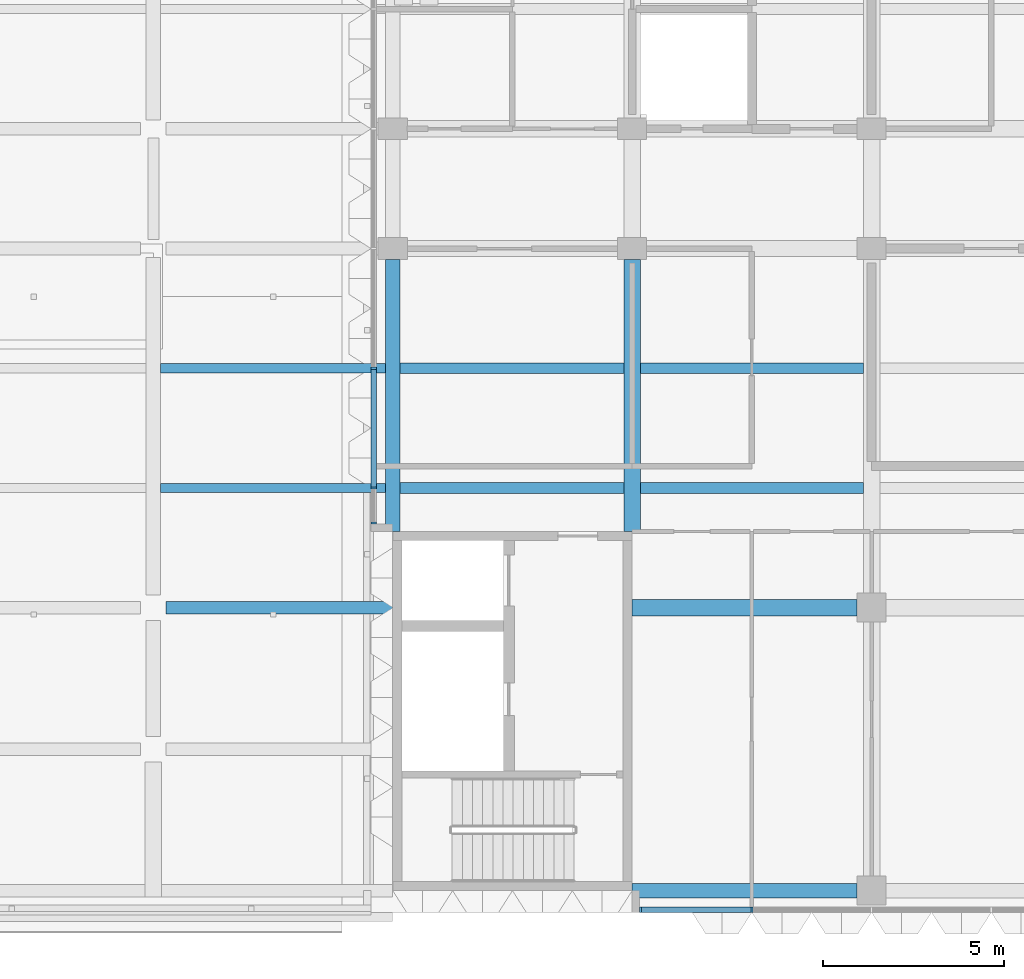
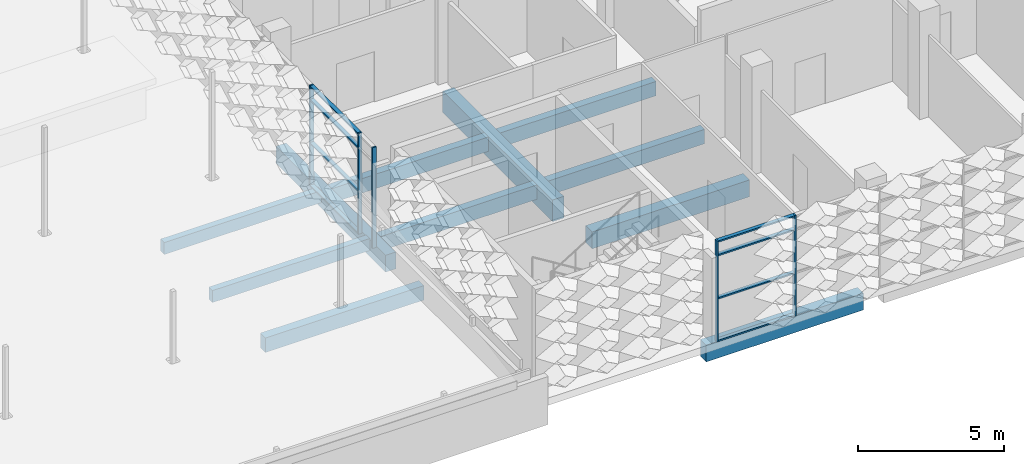
# One storey, part 2 of 39: 13 members, 11 beams, 2 elements without a shape of their own.
"""IFC4 building model written with IfcOpenShell, lengths in metres."""

from ifc_helpers import new_model, si_unit, direction, frame, origin, origin_2d, place, context, subcontext, project, spatial, rectangle, extrude, material, material_profile, profile_set, type_object, element, aggregate, save


model = new_model("IFC4")

# Units and contexts
model_context = context("Model", 3, precision=1e-05, world=origin(), true_north=direction((0.0, 1.0)))
body_context = subcontext(model_context, "Body", "Model", "MODEL_VIEW")
ifc_project = project(units=[si_unit("LENGTHUNIT", "METRE"), si_unit("AREAUNIT", "SQUARE_METRE"), si_unit("VOLUMEUNIT", "CUBIC_METRE"), si_unit("PLANEANGLEUNIT", "RADIAN"), si_unit("MASSUNIT", "GRAM", prefix="KILO")], contexts=[model_context])

# Site, building, storey
site_placement = place(None, origin())
site = spatial("IfcSite", under=ifc_project, at=site_placement, CompositionType="ELEMENT")
building_placement = place(site_placement, origin())
building = spatial("IfcBuilding", under=site, at=building_placement, Name="Lantern Court Research Institute", CompositionType="ELEMENT")
storey_placement = place(building_placement, frame((0.0, 0.0, 27.89990234375)))
storey = spatial("IfcBuildingStorey", under=building, at=storey_placement, Name="L06", CompositionType="ELEMENT", Elevation=27.89990234375)

# Curtain wall, members
ifc_material_1 = material(Name="Aluminium alloy 6063-T6", Category="aluminium")
curtain_wall_type_1 = type_object("IfcCurtainWallType", Name="Curtain wall 20200 x 4200 x 150 aluminium frame", PredefinedType="NOTDEFINED", material=ifc_material_1)
curtain_wall_1_placement = place(storey_placement, origin())
curtain_wall_1 = element("IfcCurtainWall", 1, at=curtain_wall_1_placement, inside=storey, type_object=curtain_wall_type_1, Name="Curtain wall CW079", PredefinedType="NOTDEFINED")
ifc_material_2 = material(Name="Aluminium alloy 6063-T6", Category="aluminium")
ifc_material_profile_1 = material_profile(ifc_material_2, rectangle(XDim=0.14990234375, YDim=0.06005859375, at=origin_2d()), Name="Mullion 150 x 60")
ifc_profile_set_1 = profile_set([ifc_material_profile_1], Name="Aluminium alloy 6063-T6")
member_type_1 = type_object("IfcMemberType", Name="Mullion 150 x 60 aluminium", PredefinedType="MULLION", material=ifc_profile_set_1)
member_1_placement = place(storey_placement, frame((59.6298828125, -8.324951171875, 0.0), z_axis=(0.0, 0.0, 1.0), x_axis=(0.0, -1.0, 0.0)))
member_1 = element("IfcMember", 2, at=member_1_placement, type_object=member_type_1, Name="CW079 mullion 1", PredefinedType="MULLION", context=body_context, shape_type="SweptSolid", body=[
    extrude(rectangle(XDim=0.14990234375, YDim=0.06005859375, at=origin_2d()), origin(), (0.0, 0.0, 1.0), 4.2001953125),
])
member_2_placement = place(storey_placement, frame((62.699951171875, -8.324951171875, 0.0), z_axis=(0.0, 0.0, 1.0), x_axis=(0.0, -1.0, 0.0)))
member_2 = element("IfcMember", 3, at=member_2_placement, type_object=member_type_1, Name="CW079 mullion 2", PredefinedType="MULLION", context=body_context, shape_type="SweptSolid", body=[
    extrude(rectangle(XDim=0.14990234375, YDim=0.06005859375, at=origin_2d()), origin(), (0.0, 0.0, 1.0), 4.2001953125),
])

ifc_material_3 = material(Name="Aluminium alloy 6063-T6", Category="aluminium")
curtain_wall_type_2 = type_object("IfcCurtainWallType", Name="Curtain wall 21250 x 4200 x 150 aluminium frame", PredefinedType="NOTDEFINED", material=ifc_material_3)
curtain_wall_2_placement = place(storey_placement, origin())
curtain_wall_2 = element("IfcCurtainWall", 4, at=curtain_wall_2_placement, inside=storey, type_object=curtain_wall_type_2, Name="Curtain wall CW080", PredefinedType="NOTDEFINED")
member_3_placement = place(storey_placement, frame((52.27490234375, 2.330078125, 0.0), z_axis=(0.0, 0.0, 1.0), x_axis=(-1.0, 0.0, 0.0)))
member_3 = element("IfcMember", 5, at=member_3_placement, type_object=member_type_1, Name="CW080 mullion 1", PredefinedType="MULLION", context=body_context, shape_type="SweptSolid", body=[
    extrude(rectangle(XDim=0.14990234375, YDim=0.06005859375, at=origin_2d()), origin(), (0.0, 0.0, 1.0), 4.2001953125),
])
member_4_placement = place(storey_placement, frame((52.27490234375, 3.300048828125, 0.0), z_axis=(0.0, 0.0, 1.0), x_axis=(-1.0, 0.0, 0.0)))
member_4 = element("IfcMember", 6, at=member_4_placement, type_object=member_type_1, Name="CW080 mullion 2", PredefinedType="MULLION", context=body_context, shape_type="SweptSolid", body=[
    extrude(rectangle(XDim=0.14990234375, YDim=0.06005859375, at=origin_2d()), origin(), (0.0, 0.0, 1.0), 4.2001953125),
])
member_5_placement = place(storey_placement, frame((52.27490234375, 6.60009765625, 0.0), z_axis=(0.0, 0.0, 1.0), x_axis=(-1.0, 0.0, 0.0)))
member_5 = element("IfcMember", 7, at=member_5_placement, type_object=member_type_1, Name="CW080 mullion 3", PredefinedType="MULLION", context=body_context, shape_type="SweptSolid", body=[
    extrude(rectangle(XDim=0.14990234375, YDim=0.06005859375, at=origin_2d()), origin(), (0.0, 0.0, 1.0), 4.2001953125),
])

# Beams
ifc_material_4 = material(Name="Concrete C40/50", Category="concrete")
ifc_material_profile_2 = material_profile(ifc_material_4, rectangle(XDim=0.35009765625, YDim=0.60009765625, at=origin_2d()), Name="RC beam 350 x 600")
ifc_profile_set_2 = profile_set([ifc_material_profile_2], Name="Concrete C40/50")
beam_type_1 = type_object("IfcBeamType", Name="RC beam 350 x 600", PredefinedType="BEAM", material=ifc_profile_set_2)
beam_1_placement = place(storey_placement, frame((46.550048828125, 0.0, -0.5498046875), z_axis=(1.0, 0.0, 0.0), x_axis=(0.0, 1.0, 0.0)))
element("IfcBeam", 8, at=beam_1_placement, inside=storey, type_object=beam_type_1, Name="Beam L06 grid A/8-9", PredefinedType="BEAM", context=body_context, shape_type="SweptSolid", body=[
    extrude(rectangle(XDim=0.35009765625, YDim=0.60009765625, at=origin_2d()), origin(), (0.0, 0.0, 1.0), 6.25),
])
ifc_material_5 = material(Name="Concrete C40/50", Category="concrete")
ifc_material_profile_3 = material_profile(ifc_material_5, rectangle(XDim=0.449951171875, YDim=0.699951171875, at=origin_2d()), Name="RC beam 450 x 700")
ifc_profile_set_3 = profile_set([ifc_material_profile_3], Name="Concrete C40/50")
beam_type_2 = type_object("IfcBeamType", Name="RC beam 450 x 700", PredefinedType="BEAM", material=ifc_profile_set_3)
beam_2_placement = place(storey_placement, frame((59.39990234375, 0.0, -0.64990234375), z_axis=(1.0, 0.0, 0.0), x_axis=(0.0, 1.0, 0.0)))
element("IfcBeam", 9, at=beam_2_placement, inside=storey, type_object=beam_type_2, Name="Beam L06 grid A/10-11", PredefinedType="BEAM", context=body_context, shape_type="SweptSolid", body=[
    extrude(rectangle(XDim=0.449951171875, YDim=0.699951171875, at=origin_2d()), origin(), (0.0, 0.0, 1.0), 6.2001953125),
])
ifc_material_6 = material(Name="Concrete C40/50", Category="concrete")
ifc_material_profile_4 = material_profile(ifc_material_6, rectangle(XDim=0.39990234375, YDim=0.699951171875, at=origin_2d()), Name="RC beam 400 x 700")
ifc_profile_set_4 = profile_set([ifc_material_profile_4], Name="Concrete C40/50")
beam_type_3 = type_object("IfcBeamType", Name="RC edge beam 400 x 700", PredefinedType="BEAM", material=ifc_profile_set_4)
beam_3_placement = place(storey_placement, frame((52.800048828125, 2.10009765625, -0.64990234375), z_axis=(0.0, 1.0, 0.0), x_axis=(-1.0, 0.0, 0.0)))
element("IfcBeam", 10, at=beam_3_placement, inside=storey, type_object=beam_type_3, Name="Edge beam L06 grid 9/A-B", PredefinedType="BEAM", context=body_context, shape_type="SweptSolid", body=[
    extrude(rectangle(XDim=0.39990234375, YDim=0.699951171875, at=origin_2d()), origin(), (0.0, 0.0, 1.0), 7.5),
])
beam_4_placement = place(storey_placement, frame((59.39990234375, -7.800048828125, -0.64990234375), z_axis=(1.0, 0.0, 0.0), x_axis=(0.0, 1.0, 0.0)))
element("IfcBeam", 11, at=beam_4_placement, inside=storey, type_object=beam_type_3, Name="Edge beam L06 grid Z/10-11", PredefinedType="BEAM", context=body_context, shape_type="SweptSolid", body=[
    extrude(rectangle(XDim=0.39990234375, YDim=0.699951171875, at=origin_2d()), origin(), (0.0, 0.0, 1.0), 6.2001953125),
])
ifc_material_7 = material(Name="Concrete C40/50", Category="concrete")
ifc_material_profile_5 = material_profile(ifc_material_7, rectangle(XDim=0.449951171875, YDim=0.89990234375, at=origin_2d()), Name="RC beam 450 x 900")
ifc_profile_set_5 = profile_set([ifc_material_profile_5], Name="Concrete C40/50")
beam_type_4 = type_object("IfcBeamType", Name="RC girder 450 x 900", PredefinedType="BEAM", material=ifc_profile_set_5)
beam_5_placement = place(storey_placement, frame((59.39990234375, 2.10009765625, -0.75), z_axis=(0.0, 1.0, 0.0), x_axis=(-1.0, 0.0, 0.0)))
element("IfcBeam", 12, at=beam_5_placement, inside=storey, type_object=beam_type_4, Name="Girder L06 grid 10/A-B", PredefinedType="BEAM", context=body_context, shape_type="SweptSolid", body=[
    extrude(rectangle(XDim=0.449951171875, YDim=0.89990234375, at=origin_2d()), origin(), (0.0, 0.0, 1.0), 7.5),
])
ifc_material_8 = material(Name="Concrete C40/50", Category="concrete")
ifc_material_profile_6 = material_profile(ifc_material_8, rectangle(XDim=0.25, YDim=0.5, at=origin_2d()), Name="RC beam 250 x 500")
ifc_profile_set_6 = profile_set([ifc_material_profile_6], Name="Concrete C40/50")
beam_type_5 = type_object("IfcBeamType", Name="RC secondary beam 250 x 500", PredefinedType="BEAM", material=ifc_profile_set_6)
for number, where, z_axis, x_axis, name in (
    (13, (46.39990234375, 3.300048828125, -0.5), (1.0, 0.0, 0.0), (0.0, 1.0, 0.0), "Secondary beam L06 grids 8-9 / A-B, line 1"),
    (14, (46.39990234375, 6.60009765625, -0.5), (1.0, 0.0, 0.0), (0.0, 1.0, 0.0), "Secondary beam L06 grids 8-9 / A-B, line 2"),
):
    element("IfcBeam", number, at=place(storey_placement, frame(where, z_axis=z_axis, x_axis=x_axis)), inside=storey, type_object=beam_type_5, Name=name, PredefinedType="BEAM", context=body_context, shape_type="SweptSolid", body=[
        extrude(rectangle(XDim=0.25, YDim=0.5, at=origin_2d()), origin(), (0.0, 0.0, 1.0), 6.2001953125),
    ])
ifc_material_9 = material(Name="Concrete C40/50", Category="concrete")
ifc_material_profile_7 = material_profile(ifc_material_9, rectangle(XDim=0.300048828125, YDim=0.60009765625, at=origin_2d()), Name="RC beam 300 x 600")
ifc_profile_set_7 = profile_set([ifc_material_profile_7], Name="Concrete C40/50")
beam_type_6 = type_object("IfcBeamType", Name="RC secondary beam 300 x 600", PredefinedType="BEAM", material=ifc_profile_set_7)
beam_6_placement = place(storey_placement, frame((53.0, 3.300048828125, -0.599853515625), z_axis=(1.0, 0.0, 0.0), x_axis=(0.0, 1.0, 0.0)))
element("IfcBeam", 15, at=beam_6_placement, inside=storey, type_object=beam_type_6, Name="Secondary beam L06 grids 9-10 / A-B, line 1", PredefinedType="BEAM", context=body_context, shape_type="SweptSolid", body=[
    extrude(rectangle(XDim=0.300048828125, YDim=0.60009765625, at=origin_2d()), origin(), (0.0, 0.0, 1.0), 6.175048828125),
])
beam_7_placement = place(storey_placement, frame((59.625, 3.300048828125, -0.599853515625), z_axis=(1.0, 0.0, 0.0), x_axis=(0.0, 1.0, 0.0)))
element("IfcBeam", 16, at=beam_7_placement, inside=storey, type_object=beam_type_6, Name="Secondary beam L06 grids 10-11 / A-B, line 1", PredefinedType="BEAM", context=body_context, shape_type="SweptSolid", body=[
    extrude(rectangle(XDim=0.300048828125, YDim=0.60009765625, at=origin_2d()), origin(), (0.0, 0.0, 1.0), 6.14990234375),
])
beam_8_placement = place(storey_placement, frame((53.0, 6.60009765625, -0.599853515625), z_axis=(1.0, 0.0, 0.0), x_axis=(0.0, 1.0, 0.0)))
element("IfcBeam", 17, at=beam_8_placement, inside=storey, type_object=beam_type_6, Name="Secondary beam L06 grids 9-10 / A-B, line 2", PredefinedType="BEAM", context=body_context, shape_type="SweptSolid", body=[
    extrude(rectangle(XDim=0.300048828125, YDim=0.60009765625, at=origin_2d()), origin(), (0.0, 0.0, 1.0), 6.175048828125),
])
beam_9_placement = place(storey_placement, frame((59.625, 6.60009765625, -0.599853515625), z_axis=(1.0, 0.0, 0.0), x_axis=(0.0, 1.0, 0.0)))
element("IfcBeam", 18, at=beam_9_placement, inside=storey, type_object=beam_type_6, Name="Secondary beam L06 grids 10-11 / A-B, line 2", PredefinedType="BEAM", context=body_context, shape_type="SweptSolid", body=[
    extrude(rectangle(XDim=0.300048828125, YDim=0.60009765625, at=origin_2d()), origin(), (0.0, 0.0, 1.0), 6.14990234375),
])

# Member
ifc_material_10 = material(Name="Aluminium alloy 6063-T6", Category="aluminium")
ifc_material_profile_8 = material_profile(ifc_material_10, rectangle(XDim=0.14990234375, YDim=0.06005859375, at=origin_2d()), Name="Transom 150 x 60")
ifc_profile_set_8 = profile_set([ifc_material_profile_8], Name="Aluminium alloy 6063-T6")
member_type_2 = type_object("IfcMemberType", Name="Transom 150 x 60 aluminium", PredefinedType="USERDEFINED", material=ifc_profile_set_8)
member_6_placement = place(storey_placement, frame((62.669921875, -8.324951171875, 0.030029296875), z_axis=(-1.0, 0.0, 0.0), x_axis=(0.0, -1.0, 0.0)))
member_6 = element("IfcMember", 19, at=member_6_placement, type_object=member_type_2, Name="CW079 transom 1.1", ObjectType="TRANSOM", PredefinedType="USERDEFINED", context=body_context, shape_type="SweptSolid", body=[
    extrude(rectangle(XDim=0.14990234375, YDim=0.06005859375, at=origin_2d()), origin(), (0.0, 0.0, 1.0), 3.010009765625),
])

member_7_placement = place(storey_placement, frame((62.669921875, -8.324951171875, 1.800048828125), z_axis=(-1.0, 0.0, 0.0), x_axis=(0.0, -1.0, 0.0)))
member_7 = element("IfcMember", 20, at=member_7_placement, type_object=member_type_2, Name="CW079 transom 1.2", ObjectType="TRANSOM", PredefinedType="USERDEFINED", context=body_context, shape_type="SweptSolid", body=[
    extrude(rectangle(XDim=0.14990234375, YDim=0.06005859375, at=origin_2d()), origin(), (0.0, 0.0, 1.0), 3.010009765625),
])

member_8_placement = place(storey_placement, frame((62.669921875, -8.324951171875, 3.60009765625), z_axis=(-1.0, 0.0, 0.0), x_axis=(0.0, -1.0, 0.0)))
member_8 = element("IfcMember", 21, at=member_8_placement, type_object=member_type_2, Name="CW079 transom 1.3", ObjectType="TRANSOM", PredefinedType="USERDEFINED", context=body_context, shape_type="SweptSolid", body=[
    extrude(rectangle(XDim=0.14990234375, YDim=0.06005859375, at=origin_2d()), origin(), (0.0, 0.0, 1.0), 3.010009765625),
])

member_9_placement = place(storey_placement, frame((62.669921875, -8.324951171875, 4.170166015625), z_axis=(-1.0, 0.0, 0.0), x_axis=(0.0, -1.0, 0.0)))
member_9 = element("IfcMember", 22, at=member_9_placement, type_object=member_type_2, Name="CW079 transom 1.4", ObjectType="TRANSOM", PredefinedType="USERDEFINED", context=body_context, shape_type="SweptSolid", body=[
    extrude(rectangle(XDim=0.14990234375, YDim=0.06005859375, at=origin_2d()), origin(), (0.0, 0.0, 1.0), 3.010009765625),
])

aggregate(curtain_wall_1, [member_1, member_2, member_6, member_7, member_8, member_9])

member_10_placement = place(storey_placement, frame((52.27490234375, 3.330078125, 0.030029296875), z_axis=(0.0, 1.0, 0.0), x_axis=(-1.0, 0.0, 0.0)))
member_10 = element("IfcMember", 23, at=member_10_placement, type_object=member_type_2, Name="CW080 transom 2.1", ObjectType="TRANSOM", PredefinedType="USERDEFINED", context=body_context, shape_type="SweptSolid", body=[
    extrude(rectangle(XDim=0.14990234375, YDim=0.06005859375, at=origin_2d()), origin(), (0.0, 0.0, 1.0), 3.239990234375),
])

member_11_placement = place(storey_placement, frame((52.27490234375, 3.330078125, 1.800048828125), z_axis=(0.0, 1.0, 0.0), x_axis=(-1.0, 0.0, 0.0)))
member_11 = element("IfcMember", 24, at=member_11_placement, type_object=member_type_2, Name="CW080 transom 2.2", ObjectType="TRANSOM", PredefinedType="USERDEFINED", context=body_context, shape_type="SweptSolid", body=[
    extrude(rectangle(XDim=0.14990234375, YDim=0.06005859375, at=origin_2d()), origin(), (0.0, 0.0, 1.0), 3.239990234375),
])

member_12_placement = place(storey_placement, frame((52.27490234375, 3.330078125, 3.60009765625), z_axis=(0.0, 1.0, 0.0), x_axis=(-1.0, 0.0, 0.0)))
member_12 = element("IfcMember", 25, at=member_12_placement, type_object=member_type_2, Name="CW080 transom 2.3", ObjectType="TRANSOM", PredefinedType="USERDEFINED", context=body_context, shape_type="SweptSolid", body=[
    extrude(rectangle(XDim=0.14990234375, YDim=0.06005859375, at=origin_2d()), origin(), (0.0, 0.0, 1.0), 3.239990234375),
])

member_13_placement = place(storey_placement, frame((52.27490234375, 3.330078125, 4.170166015625), z_axis=(0.0, 1.0, 0.0), x_axis=(-1.0, 0.0, 0.0)))
member_13 = element("IfcMember", 26, at=member_13_placement, type_object=member_type_2, Name="CW080 transom 2.4", ObjectType="TRANSOM", PredefinedType="USERDEFINED", context=body_context, shape_type="SweptSolid", body=[
    extrude(rectangle(XDim=0.14990234375, YDim=0.06005859375, at=origin_2d()), origin(), (0.0, 0.0, 1.0), 3.239990234375),
])

aggregate(curtain_wall_2, [member_3, member_4, member_5, member_10, member_11, member_12, member_13])

save(model, "model.ifc")
